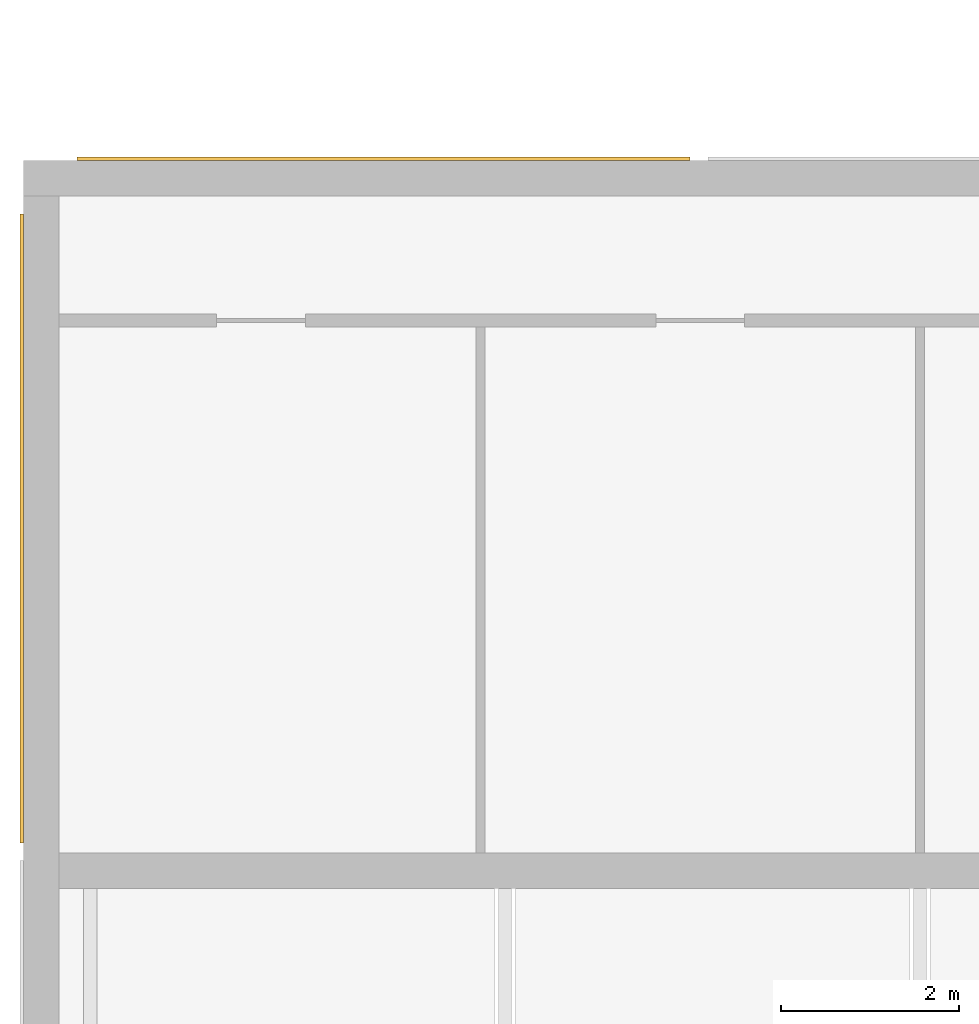
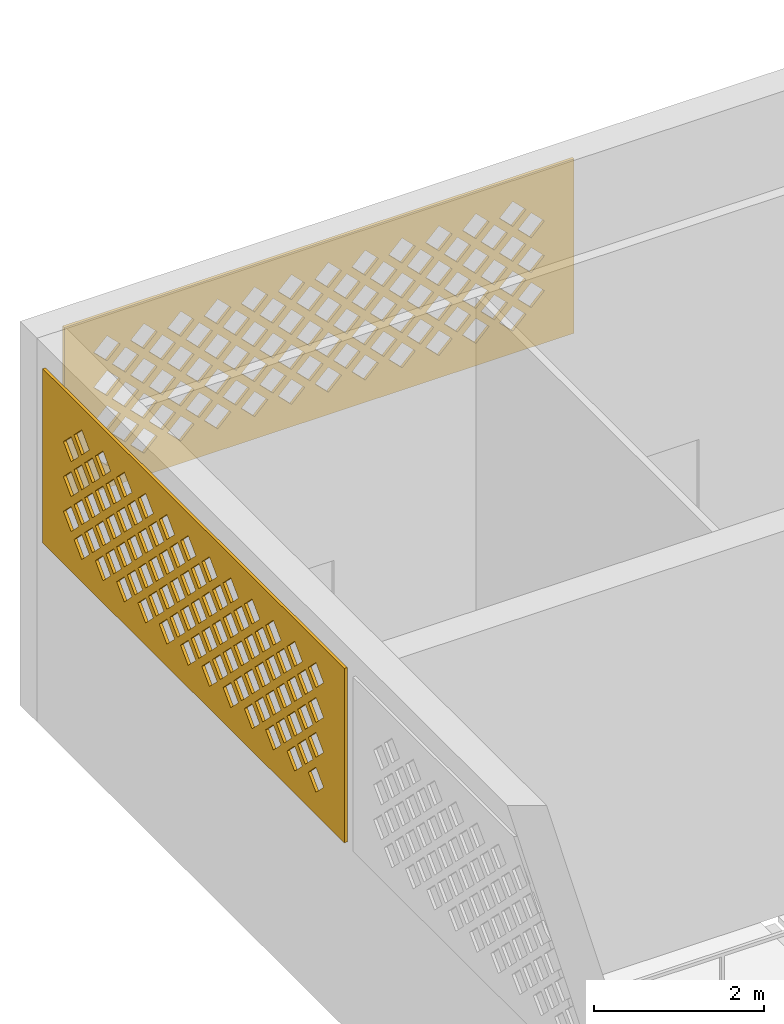
# One storey, part 40 of 69: 2 coverings.
"""IFC4 building model written with IfcOpenShell, lengths in metres."""

from ifc_helpers import new_model, si_unit, direction, frame, origin, place, context, subcontext, project, spatial, polyline, outline, extrude, material, layer, layer_set, type_object, element, save


model = new_model("IFC4")

# Units and contexts
model_context = context("Model", 3, precision=1e-05, world=origin(), true_north=direction((0.0, 1.0)))
body_context = subcontext(model_context, "Body", "Model", "MODEL_VIEW")
ifc_project = project(units=[si_unit("LENGTHUNIT", "METRE"), si_unit("AREAUNIT", "SQUARE_METRE"), si_unit("VOLUMEUNIT", "CUBIC_METRE"), si_unit("PLANEANGLEUNIT", "RADIAN"), si_unit("MASSUNIT", "GRAM", prefix="KILO")], contexts=[model_context])

# Site, building, storey
site_placement = place(None, origin())
site = spatial("IfcSite", under=ifc_project, at=site_placement, CompositionType="ELEMENT")
building_placement = place(site_placement, origin())
building = spatial("IfcBuilding", under=site, at=building_placement, Name="Noorbagh Ring Tower", CompositionType="ELEMENT")
storey_placement = place(building_placement, frame((0.0, 0.0, 19.5)))
storey = spatial("IfcBuildingStorey", under=building, at=storey_placement, Name="L03", CompositionType="ELEMENT", Elevation=19.5)

# Coverings
ifc_material = material(Name="Red sandstone jali", Category="masonry")
ifc_layer = layer(ifc_material, 0.0400390625)
ifc_layer_set = layer_set([ifc_layer], Name="Red sandstone jali")
covering_type = type_object("IfcCoveringType", Name="STH-BAND", PredefinedType="USERDEFINED", material=ifc_layer_set)
covering_1_placement = place(storey_placement, frame((-152.489013671875, 31.0400390625, 2.699951171875), z_axis=(0.0, 1.0, 0.0), x_axis=(-1.0, 0.0, 0.0)))
element("IfcCovering", 1, at=covering_1_placement, inside=storey, type_object=covering_type, Name="Jali band", ObjectType="JALI SCREEN", PredefinedType="USERDEFINED", context=body_context, shape_type="SweptSolid", body=[
    extrude(outline(polyline([(0.0, 0.0), (6.910888671875, 0.0), (6.910888671875, 2.5), (0.0, 2.5), (0.0, 0.0)]), holes=[polyline([(0.650634765625, 0.5), (0.83056640625, 0.320068359375), (1.010498046875, 0.5), (0.83056640625, 0.679931640625), (0.650634765625, 0.5)]), polyline([(1.150634765625, 0.5), (1.33056640625, 0.320068359375), (1.510498046875, 0.5), (1.33056640625, 0.679931640625), (1.150634765625, 0.5)]), polyline([(1.650634765625, 0.5), (1.83056640625, 0.320068359375), (2.010498046875, 0.5), (1.83056640625, 0.679931640625), (1.650634765625, 0.5)]), polyline([(2.150634765625, 0.5), (2.33056640625, 0.320068359375), (2.510498046875, 0.5), (2.33056640625, 0.679931640625), (2.150634765625, 0.5)]), polyline([(2.650634765625, 0.5), (2.83056640625, 0.320068359375), (3.010498046875, 0.5), (2.83056640625, 0.679931640625), (2.650634765625, 0.5)]), polyline([(3.150634765625, 0.5), (3.33056640625, 0.320068359375), (3.510498046875, 0.5), (3.33056640625, 0.679931640625), (3.150634765625, 0.5)]), polyline([(3.650634765625, 0.5), (3.83056640625, 0.320068359375), (4.010498046875, 0.5), (3.83056640625, 0.679931640625), (3.650634765625, 0.5)]), polyline([(4.150634765625, 0.5), (4.33056640625, 0.320068359375), (4.510498046875, 0.5), (4.33056640625, 0.679931640625), (4.150634765625, 0.5)]), polyline([(4.650634765625, 0.5), (4.83056640625, 0.320068359375), (5.010498046875, 0.5), (4.83056640625, 0.679931640625), (4.650634765625, 0.5)]), polyline([(5.150634765625, 0.5), (5.33056640625, 0.320068359375), (5.510498046875, 0.5), (5.33056640625, 0.679931640625), (5.150634765625, 0.5)]), polyline([(5.650634765625, 0.5), (5.83056640625, 0.320068359375), (6.010498046875, 0.5), (5.83056640625, 0.679931640625), (5.650634765625, 0.5)]), polyline([(6.150634765625, 0.5), (6.33056640625, 0.320068359375), (6.510498046875, 0.5), (6.33056640625, 0.679931640625), (6.150634765625, 0.5)]), polyline([(0.400634765625, 0.75), (0.58056640625, 0.570068359375), (0.760498046875, 0.75), (0.58056640625, 0.929931640625), (0.400634765625, 0.75)]), polyline([(0.900634765625, 0.75), (1.08056640625, 0.570068359375), (1.260498046875, 0.75), (1.08056640625, 0.929931640625), (0.900634765625, 0.75)]), polyline([(1.400634765625, 0.75), (1.58056640625, 0.570068359375), (1.760498046875, 0.75), (1.58056640625, 0.929931640625), (1.400634765625, 0.75)]), polyline([(1.900634765625, 0.75), (2.08056640625, 0.570068359375), (2.260498046875, 0.75), (2.08056640625, 0.929931640625), (1.900634765625, 0.75)]), polyline([(2.400634765625, 0.75), (2.58056640625, 0.570068359375), (2.760498046875, 0.75), (2.58056640625, 0.929931640625), (2.400634765625, 0.75)]), polyline([(2.900634765625, 0.75), (3.08056640625, 0.570068359375), (3.260498046875, 0.75), (3.08056640625, 0.929931640625), (2.900634765625, 0.75)]), polyline([(3.400634765625, 0.75), (3.58056640625, 0.570068359375), (3.760498046875, 0.75), (3.58056640625, 0.929931640625), (3.400634765625, 0.75)]), polyline([(3.900634765625, 0.75), (4.08056640625, 0.570068359375), (4.260498046875, 0.75), (4.08056640625, 0.929931640625), (3.900634765625, 0.75)]), polyline([(4.400634765625, 0.75), (4.58056640625, 0.570068359375), (4.760498046875, 0.75), (4.58056640625, 0.929931640625), (4.400634765625, 0.75)]), polyline([(4.900634765625, 0.75), (5.08056640625, 0.570068359375), (5.260498046875, 0.75), (5.08056640625, 0.929931640625), (4.900634765625, 0.75)]), polyline([(5.400634765625, 0.75), (5.58056640625, 0.570068359375), (5.760498046875, 0.75), (5.58056640625, 0.929931640625), (5.400634765625, 0.75)]), polyline([(5.900634765625, 0.75), (6.08056640625, 0.570068359375), (6.260498046875, 0.75), (6.08056640625, 0.929931640625), (5.900634765625, 0.75)]), polyline([(0.650634765625, 1.0), (0.83056640625, 0.820068359375), (1.010498046875, 1.0), (0.83056640625, 1.179931640625), (0.650634765625, 1.0)]), polyline([(1.150634765625, 1.0), (1.33056640625, 0.820068359375), (1.510498046875, 1.0), (1.33056640625, 1.179931640625), (1.150634765625, 1.0)]), polyline([(1.650634765625, 1.0), (1.83056640625, 0.820068359375), (2.010498046875, 1.0), (1.83056640625, 1.179931640625), (1.650634765625, 1.0)]), polyline([(2.150634765625, 1.0), (2.33056640625, 0.820068359375), (2.510498046875, 1.0), (2.33056640625, 1.179931640625), (2.150634765625, 1.0)]), polyline([(2.650634765625, 1.0), (2.83056640625, 0.820068359375), (3.010498046875, 1.0), (2.83056640625, 1.179931640625), (2.650634765625, 1.0)]), polyline([(3.150634765625, 1.0), (3.33056640625, 0.820068359375), (3.510498046875, 1.0), (3.33056640625, 1.179931640625), (3.150634765625, 1.0)]), polyline([(3.650634765625, 1.0), (3.83056640625, 0.820068359375), (4.010498046875, 1.0), (3.83056640625, 1.179931640625), (3.650634765625, 1.0)]), polyline([(4.150634765625, 1.0), (4.33056640625, 0.820068359375), (4.510498046875, 1.0), (4.33056640625, 1.179931640625), (4.150634765625, 1.0)]), polyline([(4.650634765625, 1.0), (4.83056640625, 0.820068359375), (5.010498046875, 1.0), (4.83056640625, 1.179931640625), (4.650634765625, 1.0)]), polyline([(5.150634765625, 1.0), (5.33056640625, 0.820068359375), (5.510498046875, 1.0), (5.33056640625, 1.179931640625), (5.150634765625, 1.0)]), polyline([(5.650634765625, 1.0), (5.83056640625, 0.820068359375), (6.010498046875, 1.0), (5.83056640625, 1.179931640625), (5.650634765625, 1.0)]), polyline([(6.150634765625, 1.0), (6.33056640625, 0.820068359375), (6.510498046875, 1.0), (6.33056640625, 1.179931640625), (6.150634765625, 1.0)]), polyline([(0.400634765625, 1.25), (0.58056640625, 1.070068359375), (0.760498046875, 1.25), (0.58056640625, 1.429931640625), (0.400634765625, 1.25)]), polyline([(0.900634765625, 1.25), (1.08056640625, 1.070068359375), (1.260498046875, 1.25), (1.08056640625, 1.429931640625), (0.900634765625, 1.25)]), polyline([(1.400634765625, 1.25), (1.58056640625, 1.070068359375), (1.760498046875, 1.25), (1.58056640625, 1.429931640625), (1.400634765625, 1.25)]), polyline([(1.900634765625, 1.25), (2.08056640625, 1.070068359375), (2.260498046875, 1.25), (2.08056640625, 1.429931640625), (1.900634765625, 1.25)]), polyline([(2.400634765625, 1.25), (2.58056640625, 1.070068359375), (2.760498046875, 1.25), (2.58056640625, 1.429931640625), (2.400634765625, 1.25)]), polyline([(2.900634765625, 1.25), (3.08056640625, 1.070068359375), (3.260498046875, 1.25), (3.08056640625, 1.429931640625), (2.900634765625, 1.25)]), polyline([(3.400634765625, 1.25), (3.58056640625, 1.070068359375), (3.760498046875, 1.25), (3.58056640625, 1.429931640625), (3.400634765625, 1.25)]), polyline([(3.900634765625, 1.25), (4.08056640625, 1.070068359375), (4.260498046875, 1.25), (4.08056640625, 1.429931640625), (3.900634765625, 1.25)]), polyline([(4.400634765625, 1.25), (4.58056640625, 1.070068359375), (4.760498046875, 1.25), (4.58056640625, 1.429931640625), (4.400634765625, 1.25)]), polyline([(4.900634765625, 1.25), (5.08056640625, 1.070068359375), (5.260498046875, 1.25), (5.08056640625, 1.429931640625), (4.900634765625, 1.25)]), polyline([(5.400634765625, 1.25), (5.58056640625, 1.070068359375), (5.760498046875, 1.25), (5.58056640625, 1.429931640625), (5.400634765625, 1.25)]), polyline([(5.900634765625, 1.25), (6.08056640625, 1.070068359375), (6.260498046875, 1.25), (6.08056640625, 1.429931640625), (5.900634765625, 1.25)]), polyline([(0.650634765625, 1.5), (0.83056640625, 1.320068359375), (1.010498046875, 1.5), (0.83056640625, 1.679931640625), (0.650634765625, 1.5)]), polyline([(1.150634765625, 1.5), (1.33056640625, 1.320068359375), (1.510498046875, 1.5), (1.33056640625, 1.679931640625), (1.150634765625, 1.5)]), polyline([(1.650634765625, 1.5), (1.83056640625, 1.320068359375), (2.010498046875, 1.5), (1.83056640625, 1.679931640625), (1.650634765625, 1.5)]), polyline([(2.150634765625, 1.5), (2.33056640625, 1.320068359375), (2.510498046875, 1.5), (2.33056640625, 1.679931640625), (2.150634765625, 1.5)]), polyline([(2.650634765625, 1.5), (2.83056640625, 1.320068359375), (3.010498046875, 1.5), (2.83056640625, 1.679931640625), (2.650634765625, 1.5)]), polyline([(3.150634765625, 1.5), (3.33056640625, 1.320068359375), (3.510498046875, 1.5), (3.33056640625, 1.679931640625), (3.150634765625, 1.5)]), polyline([(3.650634765625, 1.5), (3.83056640625, 1.320068359375), (4.010498046875, 1.5), (3.83056640625, 1.679931640625), (3.650634765625, 1.5)]), polyline([(4.150634765625, 1.5), (4.33056640625, 1.320068359375), (4.510498046875, 1.5), (4.33056640625, 1.679931640625), (4.150634765625, 1.5)]), polyline([(4.650634765625, 1.5), (4.83056640625, 1.320068359375), (5.010498046875, 1.5), (4.83056640625, 1.679931640625), (4.650634765625, 1.5)]), polyline([(5.150634765625, 1.5), (5.33056640625, 1.320068359375), (5.510498046875, 1.5), (5.33056640625, 1.679931640625), (5.150634765625, 1.5)]), polyline([(5.650634765625, 1.5), (5.83056640625, 1.320068359375), (6.010498046875, 1.5), (5.83056640625, 1.679931640625), (5.650634765625, 1.5)]), polyline([(6.150634765625, 1.5), (6.33056640625, 1.320068359375), (6.510498046875, 1.5), (6.33056640625, 1.679931640625), (6.150634765625, 1.5)]), polyline([(0.400634765625, 1.75), (0.58056640625, 1.570068359375), (0.760498046875, 1.75), (0.58056640625, 1.929931640625), (0.400634765625, 1.75)]), polyline([(0.900634765625, 1.75), (1.08056640625, 1.570068359375), (1.260498046875, 1.75), (1.08056640625, 1.929931640625), (0.900634765625, 1.75)]), polyline([(1.400634765625, 1.75), (1.58056640625, 1.570068359375), (1.760498046875, 1.75), (1.58056640625, 1.929931640625), (1.400634765625, 1.75)]), polyline([(1.900634765625, 1.75), (2.08056640625, 1.570068359375), (2.260498046875, 1.75), (2.08056640625, 1.929931640625), (1.900634765625, 1.75)]), polyline([(2.400634765625, 1.75), (2.58056640625, 1.570068359375), (2.760498046875, 1.75), (2.58056640625, 1.929931640625), (2.400634765625, 1.75)]), polyline([(2.900634765625, 1.75), (3.08056640625, 1.570068359375), (3.260498046875, 1.75), (3.08056640625, 1.929931640625), (2.900634765625, 1.75)]), polyline([(3.400634765625, 1.75), (3.58056640625, 1.570068359375), (3.760498046875, 1.75), (3.58056640625, 1.929931640625), (3.400634765625, 1.75)]), polyline([(3.900634765625, 1.75), (4.08056640625, 1.570068359375), (4.260498046875, 1.75), (4.08056640625, 1.929931640625), (3.900634765625, 1.75)]), polyline([(4.400634765625, 1.75), (4.58056640625, 1.570068359375), (4.760498046875, 1.75), (4.58056640625, 1.929931640625), (4.400634765625, 1.75)]), polyline([(4.900634765625, 1.75), (5.08056640625, 1.570068359375), (5.260498046875, 1.75), (5.08056640625, 1.929931640625), (4.900634765625, 1.75)]), polyline([(5.400634765625, 1.75), (5.58056640625, 1.570068359375), (5.760498046875, 1.75), (5.58056640625, 1.929931640625), (5.400634765625, 1.75)]), polyline([(5.900634765625, 1.75), (6.08056640625, 1.570068359375), (6.260498046875, 1.75), (6.08056640625, 1.929931640625), (5.900634765625, 1.75)]), polyline([(0.650634765625, 2.0), (0.83056640625, 1.820068359375), (1.010498046875, 2.0), (0.83056640625, 2.179931640625), (0.650634765625, 2.0)]), polyline([(1.150634765625, 2.0), (1.33056640625, 1.820068359375), (1.510498046875, 2.0), (1.33056640625, 2.179931640625), (1.150634765625, 2.0)]), polyline([(1.650634765625, 2.0), (1.83056640625, 1.820068359375), (2.010498046875, 2.0), (1.83056640625, 2.179931640625), (1.650634765625, 2.0)]), polyline([(2.150634765625, 2.0), (2.33056640625, 1.820068359375), (2.510498046875, 2.0), (2.33056640625, 2.179931640625), (2.150634765625, 2.0)]), polyline([(2.650634765625, 2.0), (2.83056640625, 1.820068359375), (3.010498046875, 2.0), (2.83056640625, 2.179931640625), (2.650634765625, 2.0)]), polyline([(3.150634765625, 2.0), (3.33056640625, 1.820068359375), (3.510498046875, 2.0), (3.33056640625, 2.179931640625), (3.150634765625, 2.0)]), polyline([(3.650634765625, 2.0), (3.83056640625, 1.820068359375), (4.010498046875, 2.0), (3.83056640625, 2.179931640625), (3.650634765625, 2.0)]), polyline([(4.150634765625, 2.0), (4.33056640625, 1.820068359375), (4.510498046875, 2.0), (4.33056640625, 2.179931640625), (4.150634765625, 2.0)]), polyline([(4.650634765625, 2.0), (4.83056640625, 1.820068359375), (5.010498046875, 2.0), (4.83056640625, 2.179931640625), (4.650634765625, 2.0)]), polyline([(5.150634765625, 2.0), (5.33056640625, 1.820068359375), (5.510498046875, 2.0), (5.33056640625, 2.179931640625), (5.150634765625, 2.0)]), polyline([(5.650634765625, 2.0), (5.83056640625, 1.820068359375), (6.010498046875, 2.0), (5.83056640625, 2.179931640625), (5.650634765625, 2.0)]), polyline([(6.150634765625, 2.0), (6.33056640625, 1.820068359375), (6.510498046875, 2.0), (6.33056640625, 2.179931640625), (6.150634765625, 2.0)])]), origin(), (0.0, 0.0, -1.0), 0.0400390625),
])
covering_2_placement = place(storey_placement, frame((-160.0400390625, 30.39990234375, 2.699951171875), z_axis=(-1.0, 0.0, 0.0), x_axis=(0.0, -1.0, 0.0)))
element("IfcCovering", 2, at=covering_2_placement, inside=storey, type_object=covering_type, Name="Jali band", ObjectType="JALI SCREEN", PredefinedType="USERDEFINED", context=body_context, shape_type="SweptSolid", body=[
    extrude(outline(polyline([(0.0, 0.0), (7.085693359375, 0.0), (7.085693359375, 2.5), (0.0, 2.5), (0.0, 0.0)]), holes=[polyline([(0.73779296875, 0.5), (0.91796875, 0.320068359375), (1.097900390625, 0.5), (0.91796875, 0.679931640625), (0.73779296875, 0.5)]), polyline([(1.23779296875, 0.5), (1.41796875, 0.320068359375), (1.597900390625, 0.5), (1.41796875, 0.679931640625), (1.23779296875, 0.5)]), polyline([(1.73779296875, 0.5), (1.91796875, 0.320068359375), (2.097900390625, 0.5), (1.91796875, 0.679931640625), (1.73779296875, 0.5)]), polyline([(2.23779296875, 0.5), (2.41796875, 0.320068359375), (2.597900390625, 0.5), (2.41796875, 0.679931640625), (2.23779296875, 0.5)]), polyline([(2.73779296875, 0.5), (2.91796875, 0.320068359375), (3.097900390625, 0.5), (2.91796875, 0.679931640625), (2.73779296875, 0.5)]), polyline([(3.23779296875, 0.5), (3.41796875, 0.320068359375), (3.597900390625, 0.5), (3.41796875, 0.679931640625), (3.23779296875, 0.5)]), polyline([(3.73779296875, 0.5), (3.91796875, 0.320068359375), (4.097900390625, 0.5), (3.91796875, 0.679931640625), (3.73779296875, 0.5)]), polyline([(4.23779296875, 0.5), (4.41796875, 0.320068359375), (4.597900390625, 0.5), (4.41796875, 0.679931640625), (4.23779296875, 0.5)]), polyline([(4.73779296875, 0.5), (4.91796875, 0.320068359375), (5.097900390625, 0.5), (4.91796875, 0.679931640625), (4.73779296875, 0.5)]), polyline([(5.23779296875, 0.5), (5.41796875, 0.320068359375), (5.597900390625, 0.5), (5.41796875, 0.679931640625), (5.23779296875, 0.5)]), polyline([(5.73779296875, 0.5), (5.91796875, 0.320068359375), (6.097900390625, 0.5), (5.91796875, 0.679931640625), (5.73779296875, 0.5)]), polyline([(6.23779296875, 0.5), (6.41796875, 0.320068359375), (6.597900390625, 0.5), (6.41796875, 0.679931640625), (6.23779296875, 0.5)]), polyline([(0.48779296875, 0.75), (0.66796875, 0.570068359375), (0.847900390625, 0.75), (0.66796875, 0.929931640625), (0.48779296875, 0.75)]), polyline([(0.98779296875, 0.75), (1.16796875, 0.570068359375), (1.347900390625, 0.75), (1.16796875, 0.929931640625), (0.98779296875, 0.75)]), polyline([(1.48779296875, 0.75), (1.66796875, 0.570068359375), (1.847900390625, 0.75), (1.66796875, 0.929931640625), (1.48779296875, 0.75)]), polyline([(1.98779296875, 0.75), (2.16796875, 0.570068359375), (2.347900390625, 0.75), (2.16796875, 0.929931640625), (1.98779296875, 0.75)]), polyline([(2.48779296875, 0.75), (2.66796875, 0.570068359375), (2.847900390625, 0.75), (2.66796875, 0.929931640625), (2.48779296875, 0.75)]), polyline([(2.98779296875, 0.75), (3.16796875, 0.570068359375), (3.347900390625, 0.75), (3.16796875, 0.929931640625), (2.98779296875, 0.75)]), polyline([(3.48779296875, 0.75), (3.66796875, 0.570068359375), (3.847900390625, 0.75), (3.66796875, 0.929931640625), (3.48779296875, 0.75)]), polyline([(3.98779296875, 0.75), (4.16796875, 0.570068359375), (4.347900390625, 0.75), (4.16796875, 0.929931640625), (3.98779296875, 0.75)]), polyline([(4.48779296875, 0.75), (4.66796875, 0.570068359375), (4.847900390625, 0.75), (4.66796875, 0.929931640625), (4.48779296875, 0.75)]), polyline([(4.98779296875, 0.75), (5.16796875, 0.570068359375), (5.347900390625, 0.75), (5.16796875, 0.929931640625), (4.98779296875, 0.75)]), polyline([(5.48779296875, 0.75), (5.66796875, 0.570068359375), (5.847900390625, 0.75), (5.66796875, 0.929931640625), (5.48779296875, 0.75)]), polyline([(5.98779296875, 0.75), (6.16796875, 0.570068359375), (6.347900390625, 0.75), (6.16796875, 0.929931640625), (5.98779296875, 0.75)]), polyline([(0.73779296875, 1.0), (0.91796875, 0.820068359375), (1.097900390625, 1.0), (0.91796875, 1.179931640625), (0.73779296875, 1.0)]), polyline([(1.23779296875, 1.0), (1.41796875, 0.820068359375), (1.597900390625, 1.0), (1.41796875, 1.179931640625), (1.23779296875, 1.0)]), polyline([(1.73779296875, 1.0), (1.91796875, 0.820068359375), (2.097900390625, 1.0), (1.91796875, 1.179931640625), (1.73779296875, 1.0)]), polyline([(2.23779296875, 1.0), (2.41796875, 0.820068359375), (2.597900390625, 1.0), (2.41796875, 1.179931640625), (2.23779296875, 1.0)]), polyline([(2.73779296875, 1.0), (2.91796875, 0.820068359375), (3.097900390625, 1.0), (2.91796875, 1.179931640625), (2.73779296875, 1.0)]), polyline([(3.23779296875, 1.0), (3.41796875, 0.820068359375), (3.597900390625, 1.0), (3.41796875, 1.179931640625), (3.23779296875, 1.0)]), polyline([(3.73779296875, 1.0), (3.91796875, 0.820068359375), (4.097900390625, 1.0), (3.91796875, 1.179931640625), (3.73779296875, 1.0)]), polyline([(4.23779296875, 1.0), (4.41796875, 0.820068359375), (4.597900390625, 1.0), (4.41796875, 1.179931640625), (4.23779296875, 1.0)]), polyline([(4.73779296875, 1.0), (4.91796875, 0.820068359375), (5.097900390625, 1.0), (4.91796875, 1.179931640625), (4.73779296875, 1.0)]), polyline([(5.23779296875, 1.0), (5.41796875, 0.820068359375), (5.597900390625, 1.0), (5.41796875, 1.179931640625), (5.23779296875, 1.0)]), polyline([(5.73779296875, 1.0), (5.91796875, 0.820068359375), (6.097900390625, 1.0), (5.91796875, 1.179931640625), (5.73779296875, 1.0)]), polyline([(6.23779296875, 1.0), (6.41796875, 0.820068359375), (6.597900390625, 1.0), (6.41796875, 1.179931640625), (6.23779296875, 1.0)]), polyline([(0.48779296875, 1.25), (0.66796875, 1.070068359375), (0.847900390625, 1.25), (0.66796875, 1.429931640625), (0.48779296875, 1.25)]), polyline([(0.98779296875, 1.25), (1.16796875, 1.070068359375), (1.347900390625, 1.25), (1.16796875, 1.429931640625), (0.98779296875, 1.25)]), polyline([(1.48779296875, 1.25), (1.66796875, 1.070068359375), (1.847900390625, 1.25), (1.66796875, 1.429931640625), (1.48779296875, 1.25)]), polyline([(1.98779296875, 1.25), (2.16796875, 1.070068359375), (2.347900390625, 1.25), (2.16796875, 1.429931640625), (1.98779296875, 1.25)]), polyline([(2.48779296875, 1.25), (2.66796875, 1.070068359375), (2.847900390625, 1.25), (2.66796875, 1.429931640625), (2.48779296875, 1.25)]), polyline([(2.98779296875, 1.25), (3.16796875, 1.070068359375), (3.347900390625, 1.25), (3.16796875, 1.429931640625), (2.98779296875, 1.25)]), polyline([(3.48779296875, 1.25), (3.66796875, 1.070068359375), (3.847900390625, 1.25), (3.66796875, 1.429931640625), (3.48779296875, 1.25)]), polyline([(3.98779296875, 1.25), (4.16796875, 1.070068359375), (4.347900390625, 1.25), (4.16796875, 1.429931640625), (3.98779296875, 1.25)]), polyline([(4.48779296875, 1.25), (4.66796875, 1.070068359375), (4.847900390625, 1.25), (4.66796875, 1.429931640625), (4.48779296875, 1.25)]), polyline([(4.98779296875, 1.25), (5.16796875, 1.070068359375), (5.347900390625, 1.25), (5.16796875, 1.429931640625), (4.98779296875, 1.25)]), polyline([(5.48779296875, 1.25), (5.66796875, 1.070068359375), (5.847900390625, 1.25), (5.66796875, 1.429931640625), (5.48779296875, 1.25)]), polyline([(5.98779296875, 1.25), (6.16796875, 1.070068359375), (6.347900390625, 1.25), (6.16796875, 1.429931640625), (5.98779296875, 1.25)]), polyline([(0.73779296875, 1.5), (0.91796875, 1.320068359375), (1.097900390625, 1.5), (0.91796875, 1.679931640625), (0.73779296875, 1.5)]), polyline([(1.23779296875, 1.5), (1.41796875, 1.320068359375), (1.597900390625, 1.5), (1.41796875, 1.679931640625), (1.23779296875, 1.5)]), polyline([(1.73779296875, 1.5), (1.91796875, 1.320068359375), (2.097900390625, 1.5), (1.91796875, 1.679931640625), (1.73779296875, 1.5)]), polyline([(2.23779296875, 1.5), (2.41796875, 1.320068359375), (2.597900390625, 1.5), (2.41796875, 1.679931640625), (2.23779296875, 1.5)]), polyline([(2.73779296875, 1.5), (2.91796875, 1.320068359375), (3.097900390625, 1.5), (2.91796875, 1.679931640625), (2.73779296875, 1.5)]), polyline([(3.23779296875, 1.5), (3.41796875, 1.320068359375), (3.597900390625, 1.5), (3.41796875, 1.679931640625), (3.23779296875, 1.5)]), polyline([(3.73779296875, 1.5), (3.91796875, 1.320068359375), (4.097900390625, 1.5), (3.91796875, 1.679931640625), (3.73779296875, 1.5)]), polyline([(4.23779296875, 1.5), (4.41796875, 1.320068359375), (4.597900390625, 1.5), (4.41796875, 1.679931640625), (4.23779296875, 1.5)]), polyline([(4.73779296875, 1.5), (4.91796875, 1.320068359375), (5.097900390625, 1.5), (4.91796875, 1.679931640625), (4.73779296875, 1.5)]), polyline([(5.23779296875, 1.5), (5.41796875, 1.320068359375), (5.597900390625, 1.5), (5.41796875, 1.679931640625), (5.23779296875, 1.5)]), polyline([(5.73779296875, 1.5), (5.91796875, 1.320068359375), (6.097900390625, 1.5), (5.91796875, 1.679931640625), (5.73779296875, 1.5)]), polyline([(6.23779296875, 1.5), (6.41796875, 1.320068359375), (6.597900390625, 1.5), (6.41796875, 1.679931640625), (6.23779296875, 1.5)]), polyline([(0.48779296875, 1.75), (0.66796875, 1.570068359375), (0.847900390625, 1.75), (0.66796875, 1.929931640625), (0.48779296875, 1.75)]), polyline([(0.98779296875, 1.75), (1.16796875, 1.570068359375), (1.347900390625, 1.75), (1.16796875, 1.929931640625), (0.98779296875, 1.75)]), polyline([(1.48779296875, 1.75), (1.66796875, 1.570068359375), (1.847900390625, 1.75), (1.66796875, 1.929931640625), (1.48779296875, 1.75)]), polyline([(1.98779296875, 1.75), (2.16796875, 1.570068359375), (2.347900390625, 1.75), (2.16796875, 1.929931640625), (1.98779296875, 1.75)]), polyline([(2.48779296875, 1.75), (2.66796875, 1.570068359375), (2.847900390625, 1.75), (2.66796875, 1.929931640625), (2.48779296875, 1.75)]), polyline([(2.98779296875, 1.75), (3.16796875, 1.570068359375), (3.347900390625, 1.75), (3.16796875, 1.929931640625), (2.98779296875, 1.75)]), polyline([(3.48779296875, 1.75), (3.66796875, 1.570068359375), (3.847900390625, 1.75), (3.66796875, 1.929931640625), (3.48779296875, 1.75)]), polyline([(3.98779296875, 1.75), (4.16796875, 1.570068359375), (4.347900390625, 1.75), (4.16796875, 1.929931640625), (3.98779296875, 1.75)]), polyline([(4.48779296875, 1.75), (4.66796875, 1.570068359375), (4.847900390625, 1.75), (4.66796875, 1.929931640625), (4.48779296875, 1.75)]), polyline([(4.98779296875, 1.75), (5.16796875, 1.570068359375), (5.347900390625, 1.75), (5.16796875, 1.929931640625), (4.98779296875, 1.75)]), polyline([(5.48779296875, 1.75), (5.66796875, 1.570068359375), (5.847900390625, 1.75), (5.66796875, 1.929931640625), (5.48779296875, 1.75)]), polyline([(5.98779296875, 1.75), (6.16796875, 1.570068359375), (6.347900390625, 1.75), (6.16796875, 1.929931640625), (5.98779296875, 1.75)]), polyline([(0.73779296875, 2.0), (0.91796875, 1.820068359375), (1.097900390625, 2.0), (0.91796875, 2.179931640625), (0.73779296875, 2.0)]), polyline([(1.23779296875, 2.0), (1.41796875, 1.820068359375), (1.597900390625, 2.0), (1.41796875, 2.179931640625), (1.23779296875, 2.0)]), polyline([(1.73779296875, 2.0), (1.91796875, 1.820068359375), (2.097900390625, 2.0), (1.91796875, 2.179931640625), (1.73779296875, 2.0)]), polyline([(2.23779296875, 2.0), (2.41796875, 1.820068359375), (2.597900390625, 2.0), (2.41796875, 2.179931640625), (2.23779296875, 2.0)]), polyline([(2.73779296875, 2.0), (2.91796875, 1.820068359375), (3.097900390625, 2.0), (2.91796875, 2.179931640625), (2.73779296875, 2.0)]), polyline([(3.23779296875, 2.0), (3.41796875, 1.820068359375), (3.597900390625, 2.0), (3.41796875, 2.179931640625), (3.23779296875, 2.0)]), polyline([(3.73779296875, 2.0), (3.91796875, 1.820068359375), (4.097900390625, 2.0), (3.91796875, 2.179931640625), (3.73779296875, 2.0)]), polyline([(4.23779296875, 2.0), (4.41796875, 1.820068359375), (4.597900390625, 2.0), (4.41796875, 2.179931640625), (4.23779296875, 2.0)]), polyline([(4.73779296875, 2.0), (4.91796875, 1.820068359375), (5.097900390625, 2.0), (4.91796875, 2.179931640625), (4.73779296875, 2.0)]), polyline([(5.23779296875, 2.0), (5.41796875, 1.820068359375), (5.597900390625, 2.0), (5.41796875, 2.179931640625), (5.23779296875, 2.0)]), polyline([(5.73779296875, 2.0), (5.91796875, 1.820068359375), (6.097900390625, 2.0), (5.91796875, 2.179931640625), (5.73779296875, 2.0)]), polyline([(6.23779296875, 2.0), (6.41796875, 1.820068359375), (6.597900390625, 2.0), (6.41796875, 2.179931640625), (6.23779296875, 2.0)])]), origin(), (0.0, 0.0, -1.0), 0.0400390625),
])

save(model, "model.ifc")
